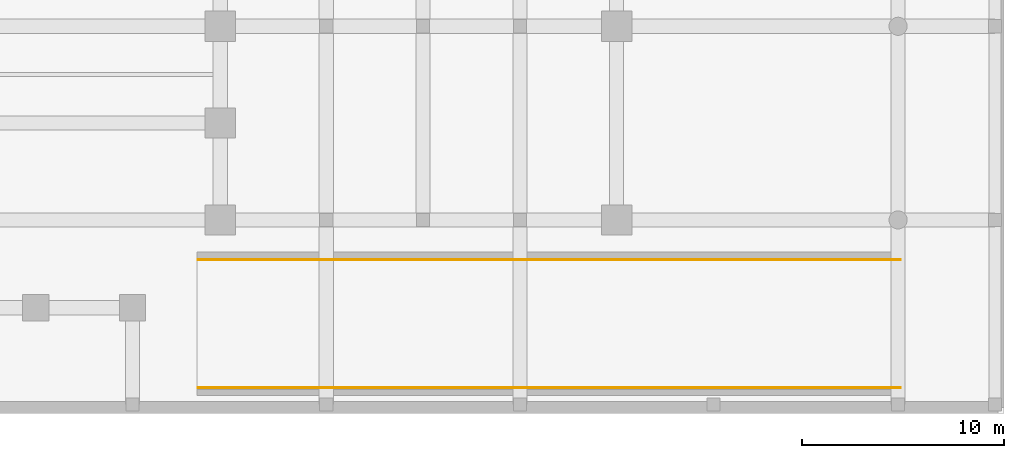
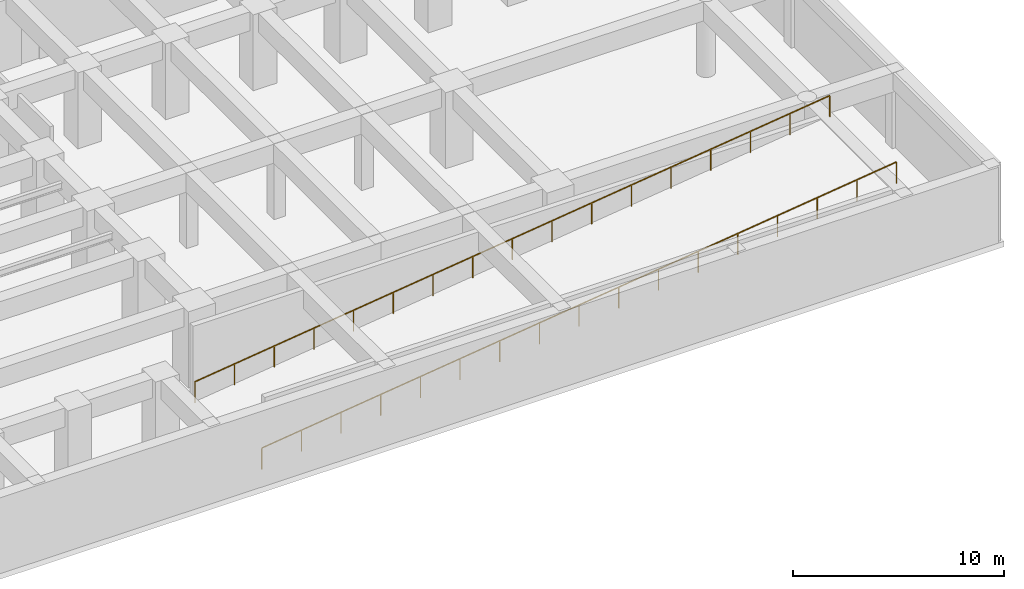
# One storey, part 5 of 6: 2 railings.
"""IFC4 building model written with IfcOpenShell, lengths in metres."""

from ifc_helpers import new_model, si_unit, direction, frame, origin, origin_2d, place, context, subcontext, project, spatial, rectangle, extrude, material, type_object, element, save


model = new_model("IFC4")

# Units and contexts
model_context = context("Model", 3, precision=1e-05, world=origin(), true_north=direction((0.0, 1.0)))
body_context = subcontext(model_context, "Body", "Model", "MODEL_VIEW")
ifc_project = project(units=[si_unit("LENGTHUNIT", "METRE"), si_unit("AREAUNIT", "SQUARE_METRE"), si_unit("VOLUMEUNIT", "CUBIC_METRE"), si_unit("PLANEANGLEUNIT", "RADIAN"), si_unit("MASSUNIT", "GRAM", prefix="KILO")], contexts=[model_context])

# Site, building, storey
site_placement = place(None, origin())
site = spatial("IfcSite", under=ifc_project, at=site_placement, CompositionType="ELEMENT")
building_placement = place(site_placement, origin())
building = spatial("IfcBuilding", under=site, at=building_placement, Name="Orvandelia Arch Residences", CompositionType="ELEMENT")
storey_placement = place(building_placement, frame((0.0, 0.0, -8.800048828125)))
storey = spatial("IfcBuildingStorey", under=building, at=storey_placement, Name="B2", CompositionType="ELEMENT", Elevation=-8.800048828125)

# Railings
ifc_material = material(Name="Marine-Grade Stainless Steel 316", Category="steel")
railing_type = type_object("IfcRailingType", Name="GRD-TERR-1250", PredefinedType="GUARDRAIL", material=ifc_material)
railing_1_placement = place(storey_placement, frame((22.449951171875, 1.280029296875, 0.0)))
element("IfcRailing", 1, at=railing_1_placement, inside=storey, type_object=railing_type, Name="Vehicle Ramp South Safety Barrier B2", PredefinedType="GUARDRAIL", context=body_context, shape_type="SweptSolid", body=[
    extrude(rectangle(XDim=0.048095703125, YDim=0.048095703125, at=origin_2d()), frame((0.0, 0.0, 1.22607421875), z_axis=(0.992100948411, 0.0, 0.125442051011), x_axis=(0.0, 1.0, 0.0)), (0.0, 0.0, 1.0), 35.0771484375),
    extrude(rectangle(XDim=0.0419921875, YDim=0.0419921875, at=origin_2d()), origin(), (0.0, 0.0, 1.0), 1.201904296875),
    extrude(rectangle(XDim=0.0419921875, YDim=0.0419921875, at=origin_2d()), frame((2.175048828125, 0.0, 0.27490234375)), (0.0, 0.0, 1.0), 1.201904296875),
    extrude(rectangle(XDim=0.0419921875, YDim=0.0419921875, at=origin_2d()), frame((4.35009765625, 0.0, 0.550048828125)), (0.0, 0.0, 1.0), 1.201904296875),
    extrude(rectangle(XDim=0.0419921875, YDim=0.0419921875, at=origin_2d()), frame((6.52490234375, 0.0, 0.824951171875)), (0.0, 0.0, 1.0), 1.201904296875),
    extrude(rectangle(XDim=0.0419921875, YDim=0.0419921875, at=origin_2d()), frame((8.699951171875, 0.0, 1.10009765625)), (0.0, 0.0, 1.0), 1.201904296875),
    extrude(rectangle(XDim=0.0419921875, YDim=0.0419921875, at=origin_2d()), frame((10.875, 0.0, 1.375)), (0.0, 0.0, 1.0), 1.201904296875),
    extrude(rectangle(XDim=0.0419921875, YDim=0.0419921875, at=origin_2d()), frame((13.050048828125, 0.0, 1.650146484375)), (0.0, 0.0, 1.0), 1.201904296875),
    extrude(rectangle(XDim=0.0419921875, YDim=0.0419921875, at=origin_2d()), frame((15.22509765625, 0.0, 1.925048828125)), (0.0, 0.0, 1.0), 1.201904296875),
    extrude(rectangle(XDim=0.0419921875, YDim=0.0419921875, at=origin_2d()), frame((17.39990234375, 0.0, 2.2001953125)), (0.0, 0.0, 1.0), 1.201904296875),
    extrude(rectangle(XDim=0.0419921875, YDim=0.0419921875, at=origin_2d()), frame((19.574951171875, 0.0, 2.47509765625)), (0.0, 0.0, 1.0), 1.201904296875),
    extrude(rectangle(XDim=0.0419921875, YDim=0.0419921875, at=origin_2d()), frame((21.75, 0.0, 2.75)), (0.0, 0.0, 1.0), 1.201904296875),
    extrude(rectangle(XDim=0.0419921875, YDim=0.0419921875, at=origin_2d()), frame((23.925048828125, 0.0, 3.025146484375)), (0.0, 0.0, 1.0), 1.201904296875),
    extrude(rectangle(XDim=0.0419921875, YDim=0.0419921875, at=origin_2d()), frame((26.10009765625, 0.0, 3.300048828125)), (0.0, 0.0, 1.0), 1.201904296875),
    extrude(rectangle(XDim=0.0419921875, YDim=0.0419921875, at=origin_2d()), frame((28.275146484375, 0.0, 3.5751953125)), (0.0, 0.0, 1.0), 1.201904296875),
    extrude(rectangle(XDim=0.0419921875, YDim=0.0419921875, at=origin_2d()), frame((30.449951171875, 0.0, 3.85009765625)), (0.0, 0.0, 1.0), 1.201904296875),
    extrude(rectangle(XDim=0.0419921875, YDim=0.0419921875, at=origin_2d()), frame((32.625, 0.0, 4.125244140625)), (0.0, 0.0, 1.0), 1.201904296875),
    extrude(rectangle(XDim=0.0419921875, YDim=0.0419921875, at=origin_2d()), frame((34.800048828125, 0.0, 4.400146484375)), (0.0, 0.0, 1.0), 1.201904296875),
])
railing_2_placement = place(storey_placement, frame((22.449951171875, 7.6201171875, 0.0)))
element("IfcRailing", 2, at=railing_2_placement, inside=storey, type_object=railing_type, Name="Vehicle Ramp North Safety Barrier B2", PredefinedType="GUARDRAIL", context=body_context, shape_type="SweptSolid", body=[
    extrude(rectangle(XDim=0.048095703125, YDim=0.048095703125, at=origin_2d()), frame((0.0, 0.0, 1.22607421875), z_axis=(0.992100948411, 0.0, 0.125442051011), x_axis=(0.0, 1.0, 0.0)), (0.0, 0.0, 1.0), 35.0771484375),
    extrude(rectangle(XDim=0.0419921875, YDim=0.0419921875, at=origin_2d()), origin(), (0.0, 0.0, 1.0), 1.201904296875),
    extrude(rectangle(XDim=0.0419921875, YDim=0.0419921875, at=origin_2d()), frame((2.175048828125, 0.0, 0.27490234375)), (0.0, 0.0, 1.0), 1.201904296875),
    extrude(rectangle(XDim=0.0419921875, YDim=0.0419921875, at=origin_2d()), frame((4.35009765625, 0.0, 0.550048828125)), (0.0, 0.0, 1.0), 1.201904296875),
    extrude(rectangle(XDim=0.0419921875, YDim=0.0419921875, at=origin_2d()), frame((6.52490234375, 0.0, 0.824951171875)), (0.0, 0.0, 1.0), 1.201904296875),
    extrude(rectangle(XDim=0.0419921875, YDim=0.0419921875, at=origin_2d()), frame((8.699951171875, 0.0, 1.10009765625)), (0.0, 0.0, 1.0), 1.201904296875),
    extrude(rectangle(XDim=0.0419921875, YDim=0.0419921875, at=origin_2d()), frame((10.875, 0.0, 1.375)), (0.0, 0.0, 1.0), 1.201904296875),
    extrude(rectangle(XDim=0.0419921875, YDim=0.0419921875, at=origin_2d()), frame((13.050048828125, 0.0, 1.650146484375)), (0.0, 0.0, 1.0), 1.201904296875),
    extrude(rectangle(XDim=0.0419921875, YDim=0.0419921875, at=origin_2d()), frame((15.22509765625, 0.0, 1.925048828125)), (0.0, 0.0, 1.0), 1.201904296875),
    extrude(rectangle(XDim=0.0419921875, YDim=0.0419921875, at=origin_2d()), frame((17.39990234375, 0.0, 2.2001953125)), (0.0, 0.0, 1.0), 1.201904296875),
    extrude(rectangle(XDim=0.0419921875, YDim=0.0419921875, at=origin_2d()), frame((19.574951171875, 0.0, 2.47509765625)), (0.0, 0.0, 1.0), 1.201904296875),
    extrude(rectangle(XDim=0.0419921875, YDim=0.0419921875, at=origin_2d()), frame((21.75, 0.0, 2.75)), (0.0, 0.0, 1.0), 1.201904296875),
    extrude(rectangle(XDim=0.0419921875, YDim=0.0419921875, at=origin_2d()), frame((23.925048828125, 0.0, 3.025146484375)), (0.0, 0.0, 1.0), 1.201904296875),
    extrude(rectangle(XDim=0.0419921875, YDim=0.0419921875, at=origin_2d()), frame((26.10009765625, 0.0, 3.300048828125)), (0.0, 0.0, 1.0), 1.201904296875),
    extrude(rectangle(XDim=0.0419921875, YDim=0.0419921875, at=origin_2d()), frame((28.275146484375, 0.0, 3.5751953125)), (0.0, 0.0, 1.0), 1.201904296875),
    extrude(rectangle(XDim=0.0419921875, YDim=0.0419921875, at=origin_2d()), frame((30.449951171875, 0.0, 3.85009765625)), (0.0, 0.0, 1.0), 1.201904296875),
    extrude(rectangle(XDim=0.0419921875, YDim=0.0419921875, at=origin_2d()), frame((32.625, 0.0, 4.125244140625)), (0.0, 0.0, 1.0), 1.201904296875),
    extrude(rectangle(XDim=0.0419921875, YDim=0.0419921875, at=origin_2d()), frame((34.800048828125, 0.0, 4.400146484375)), (0.0, 0.0, 1.0), 1.201904296875),
])

save(model, "model.ifc")
